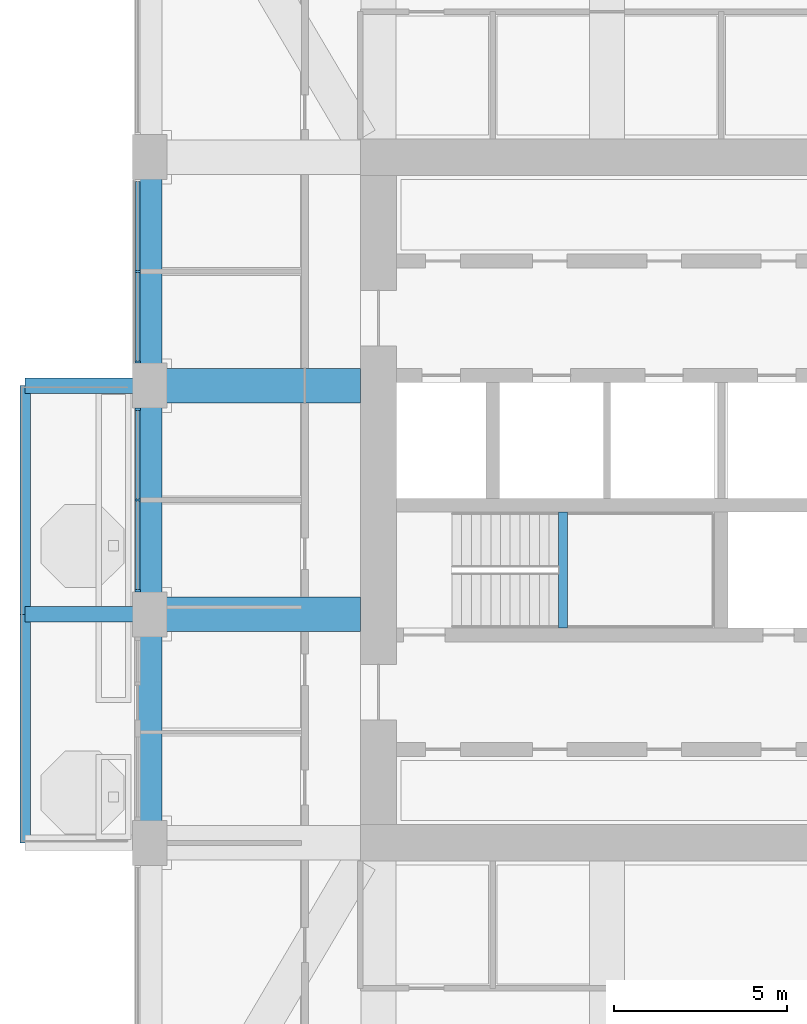
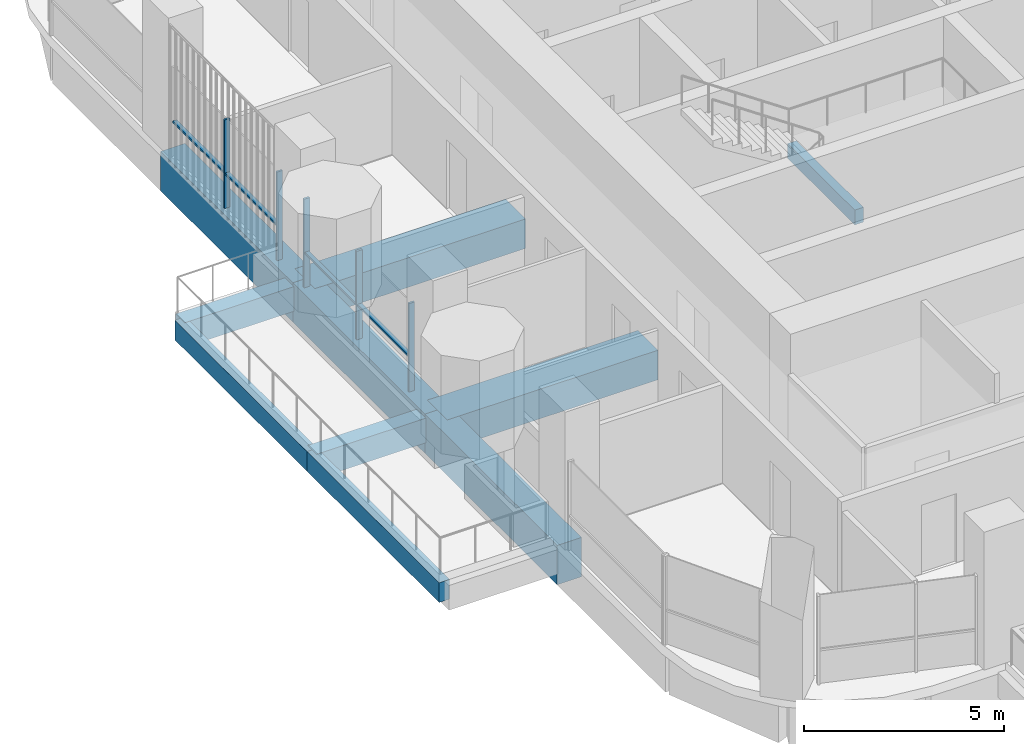
# One storey, part 3 of 19: 10 beams, 9 members, 2 elements without a shape of their own.
"""IFC4 building model written with IfcOpenShell, lengths in metres."""

import ifcopenshell
import ifcopenshell.guid

model = None  # the IFC model being written
_history = None  # IfcOwnerHistory: only IFC2X3 demands one
_inside = {}  # id of a spatial element -> (the spatial element, [elements in it])
_under = {}  # id of a project, library or spatial element -> (it, [spatial elements below it])
_declared = {}  # id of a project -> (the project, [libraries it declares])
_typed = {}  # id of a type object -> (the type object, [elements of that type])
_made_of = {}  # id of a material, layer set ... -> (it, [elements and type objects made of it])


def new_model(schema):
    """Start an empty IFC model of exactly this schema.

    Asked for "IFC4X3", IfcOpenShell would pick the latest addendum, in which some entities
    have other attributes; the version numbers below select the first issue.
    IFC2X3 requires an IfcOwnerHistory on every rooted entity: one is made here for all.
    """
    global model, _history
    if schema == "IFC4X3":
        model = ifcopenshell.file(schema_version=(4, 3, 0, 0))
    else:
        model = ifcopenshell.file(schema=schema)
    _inside.clear()
    _under.clear()
    _declared.clear()
    _typed.clear()
    _made_of.clear()
    _history = None
    if model.schema == "IFC2X3":
        org = make("IfcOrganization", Name="unknown")
        user = make(
            "IfcPersonAndOrganization",
            ThePerson=make("IfcPerson", FamilyName="unknown"),
            TheOrganization=org,
        )
        app = make(
            "IfcApplication",
            ApplicationDeveloper=org,
            Version="unknown",
            ApplicationFullName="unknown",
            ApplicationIdentifier="unknown",
        )
        _history = make(
            "IfcOwnerHistory",
            OwningUser=user,
            OwningApplication=app,
            ChangeAction="ADDED",
            CreationDate=0,
        )
    return model


def make(cls, **values):
    """One entity of the class cls with the attributes given. An attribute that is None is left unset."""
    return model.create_entity(
        cls, **{name: value for name, value in values.items() if value is not None}
    )


def rooted(cls, **values):
    """An entity with a GlobalId (a new one), such as an element, a storey or a relation."""
    return make(cls, GlobalId=ifcopenshell.guid.new(), OwnerHistory=_history, **values)


def si_unit(unit_type, name, prefix=None):
    """IfcSIUnit, for example si_unit("LENGTHUNIT", "METRE", prefix="MILLI")."""
    return make("IfcSIUnit", UnitType=unit_type, Prefix=prefix, Name=name)


def assignment(units):
    """IfcUnitAssignment: the units of a project."""
    return None if units is None else make("IfcUnitAssignment", Units=units)


def point(xyz):
    """IfcCartesianPoint."""
    return None if xyz is None else make("IfcCartesianPoint", Coordinates=xyz)


def direction(xyz):
    """IfcDirection."""
    return None if xyz is None else make("IfcDirection", DirectionRatios=xyz)


def frame(location, z_axis=None, x_axis=None):
    """IfcAxis2Placement3D, a coordinate frame: its origin and axes. An axis left out is left unset."""
    return make(
        "IfcAxis2Placement3D",
        Location=point(location),
        Axis=direction(z_axis),
        RefDirection=direction(x_axis),
    )


def frame_2d(location, x_axis=None):
    """IfcAxis2Placement2D, a coordinate frame in the plane: its origin and x axis."""
    return make(
        "IfcAxis2Placement2D", Location=point(location), RefDirection=direction(x_axis)
    )


def origin():
    """The frame at (0, 0, 0) with its axes left unset."""
    return frame((0.0, 0.0, 0.0))


def origin_2d():
    """The frame at (0, 0) in the plane with its x axis left unset."""
    return frame_2d((0.0, 0.0))


def place(relative_to, where):
    """IfcLocalPlacement: puts the frame where relative to a parent placement (None: the world)."""
    return make(
        "IfcLocalPlacement", PlacementRelTo=relative_to, RelativePlacement=where
    )


def context(
    kind, dimensions, precision=None, world=None, true_north=None, identifier=None
):
    """IfcGeometricRepresentationContext, for example the 3D "Model" context."""
    return make(
        "IfcGeometricRepresentationContext",
        ContextIdentifier=identifier,
        ContextType=kind,
        CoordinateSpaceDimension=dimensions,
        Precision=precision,
        WorldCoordinateSystem=world,
        TrueNorth=true_north,
    )


def subcontext(parent, identifier, kind, view, scale=None):
    """IfcGeometricRepresentationSubContext, for example "Body" below "Model"."""
    return make(
        "IfcGeometricRepresentationSubContext",
        ContextIdentifier=identifier,
        ContextType=kind,
        ParentContext=parent,
        TargetScale=scale,
        TargetView=view,
    )


def project(units=None, contexts=None):
    """IfcProject with its units and contexts."""
    return rooted(
        "IfcProject",
        Name="project",
        RepresentationContexts=contexts,
        UnitsInContext=assignment(units),
    )


def spatial(cls, under=None, at=None, **own):
    """A site, building, storey or space (cls), placed at a placement, below another one or the project."""
    s = rooted(cls, ObjectPlacement=at, **own)
    if under is not None:
        _under.setdefault(under.id(), (under, []))[1].append(s)
    return s


def profile(cls, at=None, kind="AREA", **sizes):
    """A parametric profile (cls). Its sizes go by their IFC names, for example OverallWidth=200.0."""
    return make(cls, ProfileType=kind, Position=at, **sizes)


def rectangle(**sizes):
    """IfcRectangleProfileDef."""
    return profile("IfcRectangleProfileDef", **sizes)


def extrude(swept, where, along, depth):
    """IfcExtrudedAreaSolid: the profile swept, set in the frame where, extruded along a direction by depth."""
    return make(
        "IfcExtrudedAreaSolid",
        SweptArea=swept,
        Position=where,
        ExtrudedDirection=direction(along),
        Depth=depth,
    )


def shape(context_of_items, identifier, shape_type, items):
    """IfcShapeRepresentation: the items that make up one representation, for example the "Body"."""
    return make(
        "IfcShapeRepresentation",
        ContextOfItems=context_of_items,
        RepresentationIdentifier=identifier,
        RepresentationType=shape_type,
        Items=items,
    )


def material(Name=None, Category=None):
    """IfcMaterial."""
    return make("IfcMaterial", Name=Name, Category=Category)


def material_profile(
    of_material, cross_section, Name=None, Category=None, Priority=None
):
    """IfcMaterialProfile: a cross section and its material."""
    return make(
        "IfcMaterialProfile",
        Name=Name,
        Material=of_material,
        Profile=cross_section,
        Priority=Priority,
        Category=Category,
    )


def profile_set(profiles, Name=None, composite=None):
    """IfcMaterialProfileSet."""
    return make(
        "IfcMaterialProfileSet",
        Name=Name,
        MaterialProfiles=profiles,
        CompositeProfile=composite,
    )


def made_of(thing, what):
    """Note that an element or type object is made of a material, layer set ...; save() writes the relation."""
    if what is not None:
        _made_of.setdefault(what.id(), (what, []))[1].append(thing)
    return thing


def type_object(cls, material=None, **own):
    """A type object (cls), such as IfcWallType, which elements share."""
    return made_of(rooted(cls, **own), material)


def element(
    cls,
    number,
    at=None,
    inside=None,
    cuts=None,
    type_object=None,
    material=None,
    context=None,
    identifier="Body",
    shape_type=None,
    held_by="IfcProductDefinitionShape",
    body=None,
    shapes=None,
    **own,
):
    """One element of the class cls, such as IfcWall. Its Tag is "e" and its number.

    at: its placement. inside: the storey or other place that contains it. cuts: it is an
    opening in that element (IfcRelVoidsElement). A single representation is given by context,
    identifier, shape_type and body (its items); several are given by shapes. held_by: the class
    of the entity that holds the representations. save() writes the other relations.
    """
    e = rooted(cls, Tag="e%d" % number, ObjectPlacement=at, **own)
    if body is not None:
        shapes = [shape(context, identifier, shape_type, body)]
    if shapes is not None:
        e.Representation = make(held_by, Representations=shapes)
    if inside is not None:
        _inside.setdefault(inside.id(), (inside, []))[1].append(e)
    if cuts is not None:
        rooted(
            "IfcRelVoidsElement", RelatingBuildingElement=cuts, RelatedOpeningElement=e
        )
    if type_object is not None:
        _typed.setdefault(type_object.id(), (type_object, []))[1].append(e)
    return made_of(e, material)


def aggregate(whole, parts):
    """IfcRelAggregates: a whole, such as a stair, and the parts it consists of."""
    return rooted("IfcRelAggregates", RelatingObject=whole, RelatedObjects=parts)


def save(model, path):
    """Write the relations noted so far, then the file.

    IfcRelAggregates (storeys below a building ...), IfcRelContainedInSpatialStructure (elements
    in a storey), IfcRelDefinesByType, IfcRelAssociatesMaterial and IfcRelDeclares: one each for
    every whole, place, type object, material and project.
    """
    for whole, parts in _under.values():
        aggregate(whole, parts)
    for where, things in _inside.values():
        rooted(
            "IfcRelContainedInSpatialStructure",
            RelatedElements=things,
            RelatingStructure=where,
        )
    for kind, things in _typed.values():
        rooted("IfcRelDefinesByType", RelatedObjects=things, RelatingType=kind)
    for what, things in _made_of.values():
        rooted("IfcRelAssociatesMaterial", RelatedObjects=things, RelatingMaterial=what)
    for by, libraries in _declared.values():
        rooted("IfcRelDeclares", RelatingContext=by, RelatedDefinitions=libraries)
    model.write(path)


model = new_model("IFC4")

# Units and contexts
model_context = context("Model", 3, precision=1e-05, world=origin(), true_north=direction((0.0, 1.0)))
body_context = subcontext(model_context, "Body", "Model", "MODEL_VIEW")
ifc_project = project(units=[si_unit("LENGTHUNIT", "METRE"), si_unit("AREAUNIT", "SQUARE_METRE"), si_unit("VOLUMEUNIT", "CUBIC_METRE"), si_unit("PLANEANGLEUNIT", "RADIAN"), si_unit("MASSUNIT", "GRAM", prefix="KILO")], contexts=[model_context])

# Site, building, storey
site_placement = place(None, origin())
site = spatial("IfcSite", under=ifc_project, at=site_placement, CompositionType="ELEMENT")
building_placement = place(site_placement, origin())
building = spatial("IfcBuilding", under=site, at=building_placement, Name="Cobogo Forest Laboratory Tower", CompositionType="ELEMENT")
storey_placement = place(building_placement, frame((0.0, 0.0, 237.60009765625)))
storey = spatial("IfcBuildingStorey", under=building, at=storey_placement, Name="L54", CompositionType="ELEMENT", Elevation=237.60009765625)

# Beams
ifc_material_1 = material(Name="Concrete HA-40 (C40/50)", Category="concrete")
ifc_material_profile_1 = material_profile(ifc_material_1, rectangle(XDim=0.449951171875, YDim=0.75, at=origin_2d()), Name="RC 450x750")
ifc_profile_set_1 = profile_set([ifc_material_profile_1], Name="Concrete HA-40 (C40/50)")
beam_type_1 = type_object("IfcBeamType", Name="Balcony cantilever beam 450x750", PredefinedType="BEAM", material=ifc_profile_set_1)
for number, where, z_axis, x_axis, name in (
    (1, (6.14990234375, 19.800048828125, -0.625), (-1.0, 0.0, 0.0), (0.0, -1.0, 0.0), "CB1 BAL-W1-C2 L54"),
    (2, (6.14990234375, 26.39990234375, -0.625), (-1.0, 0.0, 0.0), (0.0, -1.0, 0.0), "CB1 BAL-W1-C3 L54"),
):
    element("IfcBeam", number, at=place(storey_placement, frame(where, z_axis=z_axis, x_axis=x_axis)), inside=storey, type_object=beam_type_1, Name=name, PredefinedType="BEAM", context=body_context, shape_type="SweptSolid", body=[
        extrude(rectangle(XDim=0.449951171875, YDim=0.75, at=origin_2d()), origin(), (0.0, 0.0, 1.0), 3.14990234375),
    ])
ifc_material_profile_2 = material_profile(ifc_material_1, rectangle(XDim=0.300048828125, YDim=0.60009765625, at=origin_2d()), Name="RC 300x600")
ifc_profile_set_2 = profile_set([ifc_material_profile_2], Name="Concrete HA-40 (C40/50)")
beam_type_2 = type_object("IfcBeamType", Name="Balcony edge beam 300x600", PredefinedType="BEAM", material=ifc_profile_set_2)
beam_1_placement = place(storey_placement, frame((3.0, 13.199951171875, -0.550048828125), z_axis=(0.0, 1.0, 0.0), x_axis=(-1.0, 0.0, 0.0)))
element("IfcBeam", 3, at=beam_1_placement, inside=storey, type_object=beam_type_2, Name="BB1 BAL-W1-T1 L54", PredefinedType="BEAM", context=body_context, shape_type="SweptSolid", body=[
    extrude(rectangle(XDim=0.300048828125, YDim=0.60009765625, at=origin_2d()), origin(), (0.0, 0.0, 1.0), 6.60009765625),
])
beam_2_placement = place(storey_placement, frame((3.0, 19.800048828125, -0.550048828125), z_axis=(0.0, 1.0, 0.0), x_axis=(-1.0, 0.0, 0.0)))
element("IfcBeam", 4, at=beam_2_placement, inside=storey, type_object=beam_type_2, Name="BB1 BAL-W1-T2 L54", PredefinedType="BEAM", context=body_context, shape_type="SweptSolid", body=[
    extrude(rectangle(XDim=0.300048828125, YDim=0.60009765625, at=origin_2d()), origin(), (0.0, 0.0, 1.0), 6.599853515625),
])
ifc_material_profile_3 = material_profile(ifc_material_1, rectangle(XDim=0.25, YDim=0.449951171875, at=origin_2d()), Name="RC 250x450")
ifc_profile_set_3 = profile_set([ifc_material_profile_3], Name="Concrete HA-40 (C40/50)")
beam_type_3 = type_object("IfcBeamType", Name="LB1 landing beam 250x450", PredefinedType="BEAM", material=ifc_profile_set_3)
beam_3_placement = place(storey_placement, frame((18.530029296875, 19.39990234375, 1.6748046875), z_axis=(0.0, 1.0, 0.0), x_axis=(-1.0, 0.0, 0.0)))
element("IfcBeam", 5, at=beam_3_placement, inside=storey, type_object=beam_type_3, Name="Landing beam ST1 L54", PredefinedType="BEAM", context=body_context, shape_type="SweptSolid", body=[
    extrude(rectangle(XDim=0.25, YDim=0.449951171875, at=origin_2d()), origin(), (0.0, 0.0, 1.0), 3.35009765625),
])

# Curtain wall, members
ifc_material_2 = material(Name="Aluminium curtain wall", Category="aluminium")
curtain_wall_type = type_object("IfcCurtainWallType", Name="CW-2 unitised curtain wall, solar control glazing, laboratory floors zones C and D", PredefinedType="USERDEFINED", material=ifc_material_2)
curtain_wall_1_placement = place(storey_placement, origin())
curtain_wall_1 = element("IfcCurtainWall", 6, at=curtain_wall_1_placement, inside=storey, type_object=curtain_wall_type, Name="Curtain wall 21 L54", ObjectType="UNITISED CURTAIN WALL", PredefinedType="USERDEFINED")
ifc_material_3 = material(Name="Aluminium mullion", Category="aluminium")
ifc_material_profile_4 = material_profile(ifc_material_3, rectangle(XDim=0.06005859375, YDim=0.159912109375, at=origin_2d()), Name="AL 60x160")
ifc_profile_set_4 = profile_set([ifc_material_profile_4], Name="Aluminium mullion")
member_type_1 = type_object("IfcMemberType", Name="MU-1 aluminium mullion 60x160", PredefinedType="MULLION", material=ifc_profile_set_4)
member_1_placement = place(storey_placement, frame((6.25, 29.699951171875, 0.0), z_axis=(0.0, 0.0, 1.0), x_axis=(0.0, -1.0, 0.0)))
member_1 = element("IfcMember", 7, at=member_1_placement, type_object=member_type_1, Name="CW-2 mullion 2", PredefinedType="MULLION", context=body_context, shape_type="SweptSolid", body=[
    extrude(rectangle(XDim=0.06005859375, YDim=0.159912109375, at=origin_2d()), origin(), (0.0, 0.0, 1.0), 2.699951171875),
])
member_2_placement = place(storey_placement, frame((6.25, 27.080078125, 0.0), z_axis=(0.0, 0.0, 1.0), x_axis=(0.0, -1.0, 0.0)))
member_2 = element("IfcMember", 8, at=member_2_placement, type_object=member_type_1, Name="CW-2 mullion 3", PredefinedType="MULLION", context=body_context, shape_type="SweptSolid", body=[
    extrude(rectangle(XDim=0.06005859375, YDim=0.159912109375, at=origin_2d()), origin(), (0.0, 0.0, 1.0), 2.699951171875),
])

curtain_wall_2_placement = place(storey_placement, origin())
curtain_wall_2 = element("IfcCurtainWall", 9, at=curtain_wall_2_placement, inside=storey, type_object=curtain_wall_type, Name="Curtain wall 22 L54", ObjectType="UNITISED CURTAIN WALL", PredefinedType="USERDEFINED")
member_3_placement = place(storey_placement, frame((6.25, 25.719970703125, 0.0), z_axis=(0.0, 0.0, 1.0), x_axis=(0.0, -1.0, 0.0)))
member_3 = element("IfcMember", 10, at=member_3_placement, type_object=member_type_1, Name="CW-2 mullion 1", PredefinedType="MULLION", context=body_context, shape_type="SweptSolid", body=[
    extrude(rectangle(XDim=0.06005859375, YDim=0.159912109375, at=origin_2d()), origin(), (0.0, 0.0, 1.0), 2.699951171875),
])
member_4_placement = place(storey_placement, frame((6.25, 23.10009765625, 0.0), z_axis=(0.0, 0.0, 1.0), x_axis=(0.0, -1.0, 0.0)))
member_4 = element("IfcMember", 11, at=member_4_placement, type_object=member_type_1, Name="CW-2 mullion 2", PredefinedType="MULLION", context=body_context, shape_type="SweptSolid", body=[
    extrude(rectangle(XDim=0.06005859375, YDim=0.159912109375, at=origin_2d()), origin(), (0.0, 0.0, 1.0), 2.699951171875),
])
member_5_placement = place(storey_placement, frame((6.25, 20.47998046875, 0.0), z_axis=(0.0, 0.0, 1.0), x_axis=(0.0, -1.0, 0.0)))
member_5 = element("IfcMember", 12, at=member_5_placement, type_object=member_type_1, Name="CW-2 mullion 3", PredefinedType="MULLION", context=body_context, shape_type="SweptSolid", body=[
    extrude(rectangle(XDim=0.06005859375, YDim=0.159912109375, at=origin_2d()), origin(), (0.0, 0.0, 1.0), 2.699951171875),
])

# Beams
ifc_material_profile_5 = material_profile(ifc_material_1, rectangle(XDim=1.0, YDim=0.89990234375, at=origin_2d()), Name="RC 1000x900")
ifc_profile_set_5 = profile_set([ifc_material_profile_5], Name="Concrete HA-40 (C40/50)")
beam_type_4 = type_object("IfcBeamType", Name="Office floor wide beam 1000x900", PredefinedType="BEAM", material=ifc_profile_set_5)
for number, where, z_axis, x_axis, name in (
    (13, (12.675048828125, 19.800048828125, -0.75), (-1.0, 0.0, 0.0), (0.0, -1.0, 0.0), "RB2 R-D-W L54"),
    (14, (12.675048828125, 26.39990234375, -0.75), (-1.0, 0.0, 0.0), (0.0, -1.0, 0.0), "RB2 R-E-W L54"),
):
    element("IfcBeam", number, at=place(storey_placement, frame(where, z_axis=z_axis, x_axis=x_axis)), inside=storey, type_object=beam_type_4, Name=name, PredefinedType="BEAM", context=body_context, shape_type="SweptSolid", body=[
        extrude(rectangle(XDim=1.0, YDim=0.89990234375, at=origin_2d()), origin(), (0.0, 0.0, 1.0), 6.074951171875),
    ])
ifc_material_profile_6 = material_profile(ifc_material_1, rectangle(XDim=0.699951171875, YDim=1.199951171875, at=origin_2d()), Name="RC 700x1200")
ifc_profile_set_6 = profile_set([ifc_material_profile_6], Name="Concrete HA-40 (C40/50)")
beam_type_5 = type_object("IfcBeamType", Name="Perimeter edge beam 700x1200", PredefinedType="BEAM", material=ifc_profile_set_6)
beam_4_placement = place(storey_placement, frame((6.60009765625, 13.199951171875, -0.900146484375), z_axis=(0.0, 1.0, 0.0), x_axis=(-1.0, 0.0, 0.0)))
element("IfcBeam", 15, at=beam_4_placement, inside=storey, type_object=beam_type_5, Name="EB1 E-W1 L54", PredefinedType="BEAM", context=body_context, shape_type="SweptSolid", body=[
    extrude(rectangle(XDim=0.699951171875, YDim=1.199951171875, at=origin_2d()), origin(), (0.0, 0.0, 1.0), 6.60009765625),
])
beam_5_placement = place(storey_placement, frame((6.60009765625, 19.800048828125, -0.900146484375), z_axis=(0.0, 1.0, 0.0), x_axis=(-1.0, 0.0, 0.0)))
element("IfcBeam", 16, at=beam_5_placement, inside=storey, type_object=beam_type_5, Name="EB1 E-W2 L54", PredefinedType="BEAM", context=body_context, shape_type="SweptSolid", body=[
    extrude(rectangle(XDim=0.699951171875, YDim=1.199951171875, at=origin_2d()), origin(), (0.0, 0.0, 1.0), 6.599853515625),
])
beam_6_placement = place(storey_placement, frame((6.60009765625, 26.39990234375, -0.900146484375), z_axis=(0.0, 1.0, 0.0), x_axis=(-1.0, 0.0, 0.0)))
element("IfcBeam", 17, at=beam_6_placement, inside=storey, type_object=beam_type_5, Name="EB1 E-W3 L54", PredefinedType="BEAM", context=body_context, shape_type="SweptSolid", body=[
    extrude(rectangle(XDim=0.699951171875, YDim=1.199951171875, at=origin_2d()), origin(), (0.0, 0.0, 1.0), 6.60009765625),
])

# Member
ifc_material_4 = material(Name="Aluminium transom", Category="aluminium")
ifc_material_profile_7 = material_profile(ifc_material_4, rectangle(XDim=0.1201171875, YDim=0.06005859375, at=origin_2d()), Name="AL 60x120")
ifc_profile_set_7 = profile_set([ifc_material_profile_7], Name="Aluminium transom")
member_type_2 = type_object("IfcMemberType", Name="TR-1 aluminium transom 60x120", PredefinedType="USERDEFINED", material=ifc_profile_set_7)
member_6_placement = place(storey_placement, frame((6.25, 32.2900390625, 1.0498046875), z_axis=(0.0, -1.0, 0.0), x_axis=(1.0, 0.0, 0.0)))
member_6 = element("IfcMember", 18, at=member_6_placement, type_object=member_type_2, Name="CW-2 transom 1.1", ObjectType="TRANSOM", PredefinedType="USERDEFINED", context=body_context, shape_type="SweptSolid", body=[
    extrude(rectangle(XDim=0.1201171875, YDim=0.06005859375, at=origin_2d()), origin(), (0.0, 0.0, 1.0), 2.56005859375),
])

member_7_placement = place(storey_placement, frame((6.25, 29.669921875, 1.0498046875), z_axis=(0.0, -1.0, 0.0), x_axis=(1.0, 0.0, 0.0)))
member_7 = element("IfcMember", 19, at=member_7_placement, type_object=member_type_2, Name="CW-2 transom 2.1", ObjectType="TRANSOM", PredefinedType="USERDEFINED", context=body_context, shape_type="SweptSolid", body=[
    extrude(rectangle(XDim=0.1201171875, YDim=0.06005859375, at=origin_2d()), origin(), (0.0, 0.0, 1.0), 2.559814453125),
])

aggregate(curtain_wall_1, [member_1, member_2, member_6, member_7])

member_8_placement = place(storey_placement, frame((6.25, 25.68994140625, 1.0498046875), z_axis=(0.0, -1.0, 0.0), x_axis=(1.0, 0.0, 0.0)))
member_8 = element("IfcMember", 20, at=member_8_placement, type_object=member_type_2, Name="CW-2 transom 1.1", ObjectType="TRANSOM", PredefinedType="USERDEFINED", context=body_context, shape_type="SweptSolid", body=[
    extrude(rectangle(XDim=0.1201171875, YDim=0.06005859375, at=origin_2d()), origin(), (0.0, 0.0, 1.0), 2.56005859375),
])

member_9_placement = place(storey_placement, frame((6.25, 23.070068359375, 1.0498046875), z_axis=(0.0, -1.0, 0.0), x_axis=(1.0, 0.0, 0.0)))
member_9 = element("IfcMember", 21, at=member_9_placement, type_object=member_type_2, Name="CW-2 transom 2.1", ObjectType="TRANSOM", PredefinedType="USERDEFINED", context=body_context, shape_type="SweptSolid", body=[
    extrude(rectangle(XDim=0.1201171875, YDim=0.06005859375, at=origin_2d()), origin(), (0.0, 0.0, 1.0), 2.56005859375),
])

aggregate(curtain_wall_2, [member_3, member_4, member_5, member_8, member_9])

save(model, "model.ifc")
